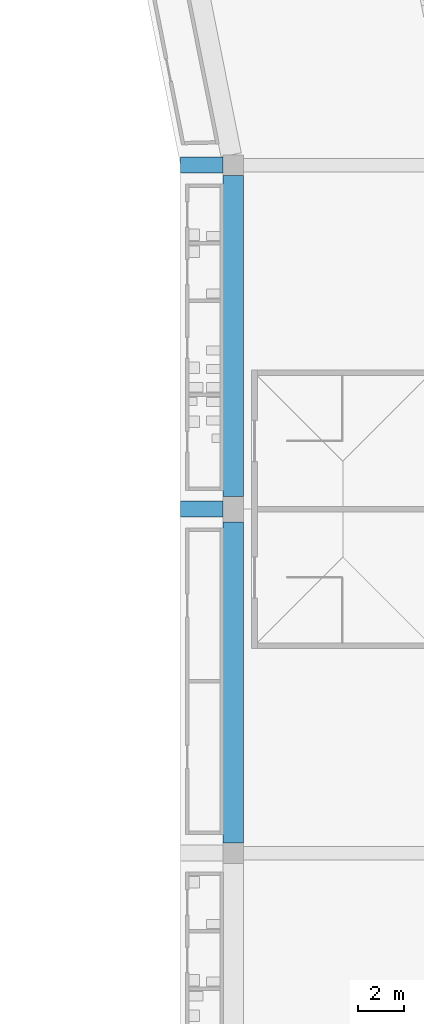
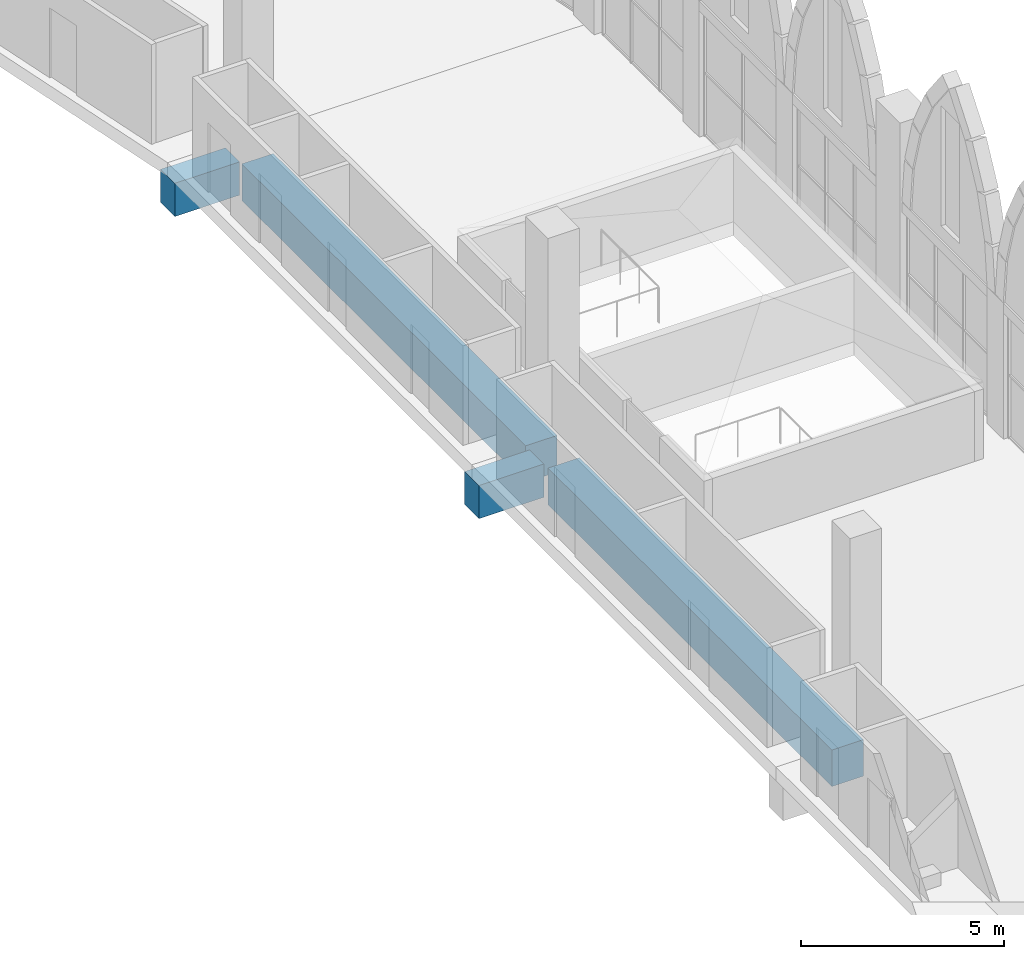
# One storey, part 40 of 130: 4 beams.
"""IFC4 building model written with IfcOpenShell, lengths in metres."""

from ifc_helpers import new_model, si_unit, direction, frame, origin, origin_2d, place, context, subcontext, project, spatial, rectangle, extrude, material, material_profile, profile_set, type_object, element, save


model = new_model("IFC4")

# Units and contexts
model_context = context("Model", 3, precision=1e-05, world=origin(), true_north=direction((0.0, 1.0)))
body_context = subcontext(model_context, "Body", "Model", "MODEL_VIEW")
ifc_project = project(units=[si_unit("LENGTHUNIT", "METRE"), si_unit("AREAUNIT", "SQUARE_METRE"), si_unit("VOLUMEUNIT", "CUBIC_METRE"), si_unit("PLANEANGLEUNIT", "RADIAN"), si_unit("MASSUNIT", "GRAM", prefix="KILO")], contexts=[model_context])

# Site, building, storey
site_placement = place(None, origin())
site = spatial("IfcSite", under=ifc_project, at=site_placement, CompositionType="ELEMENT")
building_placement = place(site_placement, origin())
building = spatial("IfcBuilding", under=site, at=building_placement, Name="Ogive Plaza Stadium", CompositionType="ELEMENT")
storey_placement = place(building_placement, frame((0.0, 0.0, 22.5)))
storey = spatial("IfcBuildingStorey", under=building, at=storey_placement, Name="L05", CompositionType="ELEMENT", Elevation=22.5)

# Beams
ifc_material_1 = material(Name="Concrete C40/50", Category="concrete")
ifc_material_profile_1 = material_profile(ifc_material_1, rectangle(XDim=0.699951171875, YDim=1.0, at=origin_2d()), Name="RC 700x1000")
ifc_profile_set_1 = profile_set([ifc_material_profile_1], Name="Concrete C40/50")
beam_type_1 = type_object("IfcBeamType", Name="RC radial beam 700x1000", PredefinedType="BEAM", material=ifc_profile_set_1)
for number, where, z_axis, x_axis, name in (
    (1, (71.699951171875, 52.5, -0.909912109375), (1.0, 0.0, 0.0), (0.0, 1.0, 0.0), "Raker tail beam UT R01"),
    (2, (71.699951171875, 37.5, -0.909912109375), (1.0, 0.0, 0.0), (0.0, 1.0, 0.0), "Raker tail beam UT R02"),
):
    element("IfcBeam", number, at=place(storey_placement, frame(where, z_axis=z_axis, x_axis=x_axis)), inside=storey, type_object=beam_type_1, Name=name, PredefinedType="BEAM", context=body_context, shape_type="SweptSolid", body=[
        extrude(rectangle(XDim=0.699951171875, YDim=1.0, at=origin_2d()), origin(), (0.0, 0.0, 1.0), 1.85009765625),
    ])
ifc_material_2 = material(Name="Concrete C40/50", Category="concrete")
ifc_material_profile_2 = material_profile(ifc_material_2, rectangle(XDim=0.89990234375, YDim=1.10009765625, at=origin_2d()), Name="RC 900x1100")
ifc_profile_set_2 = profile_set([ifc_material_profile_2], Name="Concrete C40/50")
beam_type_2 = type_object("IfcBeamType", Name="RC ring beam 900x1100", PredefinedType="BEAM", material=ifc_profile_set_2)
for number, where, z_axis, x_axis, name in (
    (3, (74.0, 52.050048828125, -0.9599609375), (0.0, -1.0, 0.0), (1.0, 0.0, 0.0), "Ring beam F4 L05 B01"),
    (4, (74.0, 36.949951171875, -0.9599609375), (0.0, -1.0, 0.0), (1.0, 0.0, 0.0), "Ring beam F4 L05 B02"),
):
    element("IfcBeam", number, at=place(storey_placement, frame(where, z_axis=z_axis, x_axis=x_axis)), inside=storey, type_object=beam_type_2, Name=name, PredefinedType="BEAM", context=body_context, shape_type="SweptSolid", body=[
        extrude(rectangle(XDim=0.89990234375, YDim=1.10009765625, at=origin_2d()), origin(), (0.0, 0.0, 1.0), 14.0),
    ])

save(model, "model.ifc")
